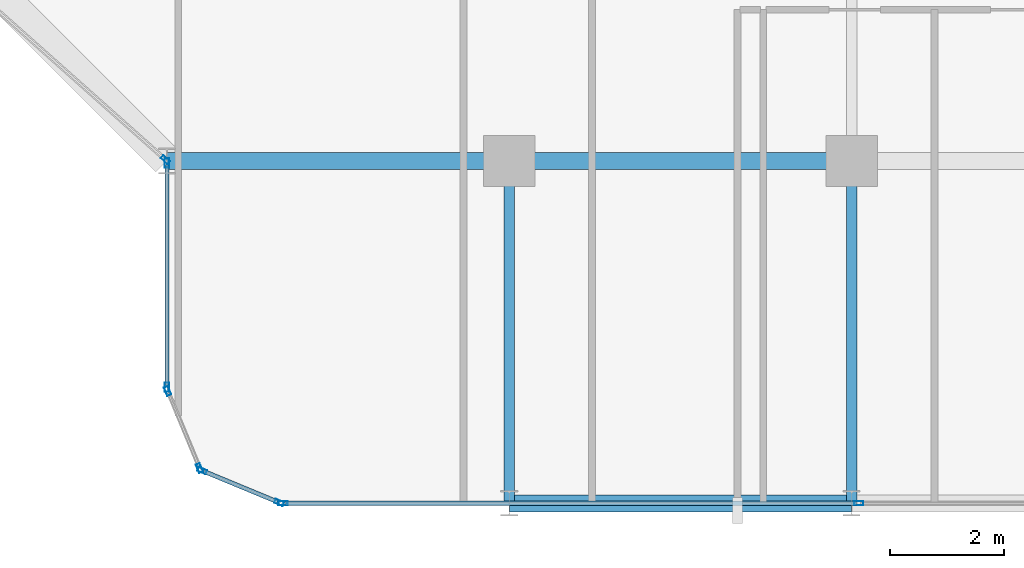
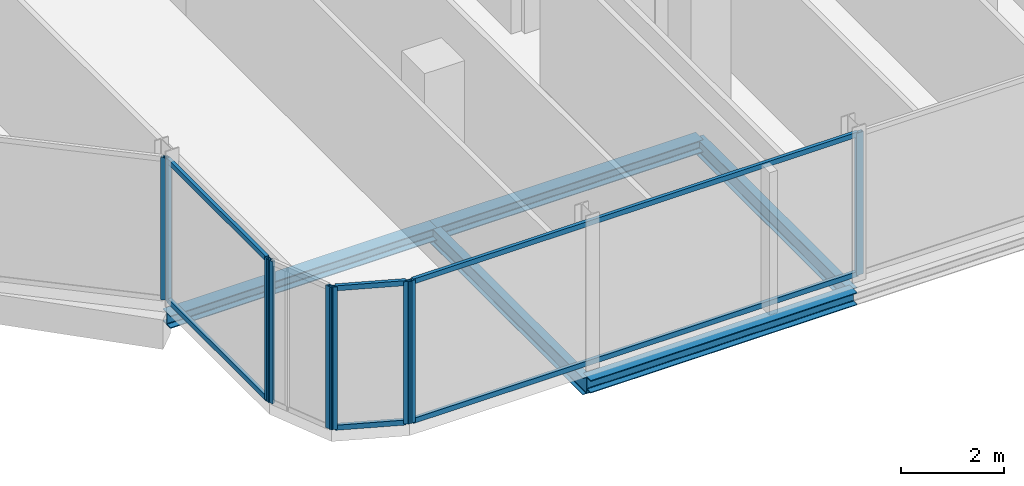
# One storey, part 6 of 29: 15 members, 5 beams, 5 elements without a shape of their own.
"""IFC4 building model written with IfcOpenShell, lengths in metres."""

from ifc_helpers import new_model, si_unit, direction, frame, origin, origin_2d, place, context, subcontext, project, spatial, hollow_rectangle, i_section, extrude, material, layer, layer_set, material_profile, profile_set, type_object, element, aggregate, save


model = new_model("IFC4")

# Units and contexts
model_context = context("Model", 3, precision=1e-05, world=origin(), true_north=direction((0.0, 1.0)))
body_context = subcontext(model_context, "Body", "Model", "MODEL_VIEW")
ifc_project = project(units=[si_unit("LENGTHUNIT", "METRE"), si_unit("AREAUNIT", "SQUARE_METRE"), si_unit("VOLUMEUNIT", "CUBIC_METRE"), si_unit("PLANEANGLEUNIT", "RADIAN"), si_unit("MASSUNIT", "GRAM", prefix="KILO")], contexts=[model_context])

# Site, building, storey
site_placement = place(None, origin())
site = spatial("IfcSite", under=ifc_project, at=site_placement, CompositionType="ELEMENT")
building_placement = place(site_placement, origin())
building = spatial("IfcBuilding", under=site, at=building_placement, Name="Keshet Zoharim Tower", CompositionType="ELEMENT")
storey_placement = place(building_placement, frame((0.0, 0.0, 188.39990234375)))
storey = spatial("IfcBuildingStorey", under=building, at=storey_placement, Name="L46", CompositionType="ELEMENT", Elevation=188.39990234375)

# Beams
ifc_material_1 = material(Name="Steel S355", Category="steel")
ifc_material_profile_1 = material_profile(ifc_material_1, i_section(OverallWidth=0.300048828125, OverallDepth=0.300048828125, WebThickness=0.010986328125, FlangeThickness=0.01904296875, FilletRadius=0.027099609375, at=origin_2d()), Name="HEB300")
ifc_profile_set_1 = profile_set([ifc_material_profile_1], Name="Steel S355")
beam_type_1 = type_object("IfcBeamType", Name="BM-PRI-HB300", PredefinedType="BEAM", material=ifc_profile_set_1)
for number, where, z_axis, x_axis, name in (
    (1, (27.0, 0.699951171875, -0.4599609375), (1.0, 0.0, 0.0), (0.0, 1.0, 0.0), "L46 Primary Girder X-001"),
    (2, (21.0, 6.699951171875, -0.4599609375), (1.0, 0.0, 0.0), (0.0, 1.0, 0.0), "L46 Primary Girder X-005"),
    (3, (27.0, 6.699951171875, -0.4599609375), (1.0, 0.0, 0.0), (0.0, 1.0, 0.0), "L46 Primary Girder X-006"),
):
    element("IfcBeam", number, at=place(storey_placement, frame(where, z_axis=z_axis, x_axis=x_axis)), inside=storey, type_object=beam_type_1, Name=name, PredefinedType="BEAM", context=body_context, shape_type="SweptSolid", body=[
        extrude(i_section(OverallWidth=0.300048828125, OverallDepth=0.300048828125, WebThickness=0.010986328125, FlangeThickness=0.01904296875, FilletRadius=0.027099609375, at=origin_2d()), origin(), (0.0, 0.0, 1.0), 6.0),
    ])
ifc_material_profile_2 = material_profile(ifc_material_1, i_section(OverallWidth=0.179931640625, OverallDepth=0.39990234375, WebThickness=0.008544921875, FlangeThickness=0.013427734375, FilletRadius=0.02099609375, at=origin_2d()), Name="IPE400")
ifc_profile_set_2 = profile_set([ifc_material_profile_2], Name="Steel S355")
beam_type_2 = type_object("IfcBeamType", Name="BM-PRI-IP400", PredefinedType="BEAM", material=ifc_profile_set_2)
for number, where, z_axis, x_axis, name in (
    (4, (27.0, 0.699951171875, -0.510009765625), (0.0, 1.0, 0.0), (-1.0, 0.0, 0.0), "L46 Primary Girder Y-004"),
    (5, (33.0, 0.699951171875, -0.510009765625), (0.0, 1.0, 0.0), (-1.0, 0.0, 0.0), "L46 Primary Girder Y-005"),
):
    element("IfcBeam", number, at=place(storey_placement, frame(where, z_axis=z_axis, x_axis=x_axis)), inside=storey, type_object=beam_type_2, Name=name, PredefinedType="BEAM", context=body_context, shape_type="SweptSolid", body=[
        extrude(i_section(OverallWidth=0.179931640625, OverallDepth=0.39990234375, WebThickness=0.008544921875, FlangeThickness=0.013427734375, FilletRadius=0.02099609375, at=origin_2d()), origin(), (0.0, 0.0, 1.0), 6.0),
    ])

# Curtain wall, members
ifc_material_2 = material(Name="Aluminium 6063-T6", Category="aluminium")
ifc_layer = layer(ifc_material_2, 0.139892578125)
ifc_layer_set = layer_set([ifc_layer], Name="Aluminium 6063-T6")
curtain_wall_type = type_object("IfcCurtainWallType", Name="CW-SYS-05", PredefinedType="NOTDEFINED", material=ifc_layer_set)
curtain_wall_1_placement = place(storey_placement, origin())
curtain_wall_1 = element("IfcCurtainWall", 6, at=curtain_wall_1_placement, inside=storey, type_object=curtain_wall_type, Name="L46 Unitised Curtain Wall 06 Part 3", PredefinedType="NOTDEFINED")
ifc_material_profile_3 = material_profile(ifc_material_2, hollow_rectangle(XDim=0.074951171875, YDim=0.159912109375, WallThickness=0.00390625, at=origin_2d()), Name="MUL-75x160")
ifc_profile_set_3 = profile_set([ifc_material_profile_3], Name="Aluminium 6063-T6")
member_type_1 = type_object("IfcMemberType", Name="CWM-M15", PredefinedType="MULLION", material=ifc_profile_set_3)
member_1_placement = place(storey_placement, frame((33.1259765625, 0.699951171875, 0.0), z_axis=(0.0, 0.0, 1.0), x_axis=(0.0, -1.0, 0.0)))
member_1 = element("IfcMember", 7, at=member_1_placement, type_object=member_type_1, Name="CW-05 mullion 2", PredefinedType="MULLION", context=body_context, shape_type="SweptSolid", body=[
    extrude(hollow_rectangle(XDim=0.074951171875, YDim=0.159912109375, WallThickness=0.00390625, at=origin_2d()), origin(), (0.0, 0.0, 1.0), 3.39013671875),
])
member_2_placement = place(storey_placement, frame((23.034912109375, 0.699951171875, 0.0), z_axis=(0.0, 0.0, 1.0), x_axis=(0.0, -1.0, 0.0)))
member_2 = element("IfcMember", 8, at=member_2_placement, type_object=member_type_1, Name="CW-05 mullion 3", PredefinedType="MULLION", context=body_context, shape_type="SweptSolid", body=[
    extrude(hollow_rectangle(XDim=0.074951171875, YDim=0.159912109375, WallThickness=0.00390625, at=origin_2d()), origin(), (0.0, 0.0, 1.0), 3.39013671875),
])

curtain_wall_2_placement = place(storey_placement, origin())
curtain_wall_2 = element("IfcCurtainWall", 9, at=curtain_wall_2_placement, inside=storey, type_object=curtain_wall_type, Name="L46 Unitised Curtain Wall 07", PredefinedType="NOTDEFINED")
member_3_placement = place(storey_placement, frame((22.9677734375, 0.71337890625, 0.0), z_axis=(0.0, 0.0, 1.0), x_axis=(-0.382851849847, -0.92380975372, 0.0)))
member_3 = element("IfcMember", 10, at=member_3_placement, type_object=member_type_1, Name="CW-05 mullion 1", PredefinedType="MULLION", context=body_context, shape_type="SweptSolid", body=[
    extrude(hollow_rectangle(XDim=0.074951171875, YDim=0.159912109375, WallThickness=0.00390625, at=origin_2d()), origin(), (0.0, 0.0, 1.0), 3.39013671875),
])
member_4_placement = place(storey_placement, frame((21.618408203125, 1.272705078125, 0.0), z_axis=(0.0, 0.0, 1.0), x_axis=(-0.382851849847, -0.92380975372, 0.0)))
member_4 = element("IfcMember", 11, at=member_4_placement, type_object=member_type_1, Name="CW-05 mullion 2", PredefinedType="MULLION", context=body_context, shape_type="SweptSolid", body=[
    extrude(hollow_rectangle(XDim=0.074951171875, YDim=0.159912109375, WallThickness=0.00390625, at=origin_2d()), origin(), (0.0, 0.0, 1.0), 3.39013671875),
])

curtain_wall_3_placement = place(storey_placement, origin())
curtain_wall_3 = element("IfcCurtainWall", 12, at=curtain_wall_3_placement, inside=storey, type_object=curtain_wall_type, Name="L46 Unitised Curtain Wall 08", PredefinedType="NOTDEFINED")
member_5_placement = place(storey_placement, frame((21.572509765625, 1.318359375, 0.0), z_axis=(0.0, 0.0, 1.0), x_axis=(-0.92380975372, -0.382851849847, 0.0)))
member_5 = element("IfcMember", 13, at=member_5_placement, type_object=member_type_1, Name="CW-05 mullion 1", PredefinedType="MULLION", context=body_context, shape_type="SweptSolid", body=[
    extrude(hollow_rectangle(XDim=0.074951171875, YDim=0.159912109375, WallThickness=0.00390625, at=origin_2d()), origin(), (0.0, 0.0, 1.0), 3.39013671875),
])
member_6_placement = place(storey_placement, frame((21.013427734375, 2.667724609375, 0.0), z_axis=(0.0, 0.0, 1.0), x_axis=(-0.92380975372, -0.382851849847, 0.0)))
member_6 = element("IfcMember", 14, at=member_6_placement, type_object=member_type_1, Name="CW-05 mullion 2", PredefinedType="MULLION", context=body_context, shape_type="SweptSolid", body=[
    extrude(hollow_rectangle(XDim=0.074951171875, YDim=0.159912109375, WallThickness=0.00390625, at=origin_2d()), origin(), (0.0, 0.0, 1.0), 3.39013671875),
])
aggregate(curtain_wall_3, [member_5, member_6])

curtain_wall_4_placement = place(storey_placement, origin())
curtain_wall_4 = element("IfcCurtainWall", 15, at=curtain_wall_4_placement, inside=storey, type_object=curtain_wall_type, Name="L46 Unitised Curtain Wall 09", PredefinedType="NOTDEFINED")
member_7_placement = place(storey_placement, frame((21.0, 2.735107421875, 0.0), z_axis=(0.0, 0.0, 1.0), x_axis=(-1.0, 0.0, 0.0)))
member_7 = element("IfcMember", 16, at=member_7_placement, type_object=member_type_1, Name="CW-05 mullion 1", PredefinedType="MULLION", context=body_context, shape_type="SweptSolid", body=[
    extrude(hollow_rectangle(XDim=0.074951171875, YDim=0.159912109375, WallThickness=0.00390625, at=origin_2d()), origin(), (0.0, 0.0, 1.0), 3.39013671875),
])
member_8_placement = place(storey_placement, frame((21.0, 6.6650390625, 0.0), z_axis=(0.0, 0.0, 1.0), x_axis=(-1.0, 0.0, 0.0)))
member_8 = element("IfcMember", 17, at=member_8_placement, type_object=member_type_1, Name="CW-05 mullion 2", PredefinedType="MULLION", context=body_context, shape_type="SweptSolid", body=[
    extrude(hollow_rectangle(XDim=0.074951171875, YDim=0.159912109375, WallThickness=0.00390625, at=origin_2d()), origin(), (0.0, 0.0, 1.0), 3.39013671875),
])

# Curtain wall, member
curtain_wall_5_placement = place(storey_placement, origin())
curtain_wall_5 = element("IfcCurtainWall", 18, at=curtain_wall_5_placement, inside=storey, type_object=curtain_wall_type, Name="L46 Unitised Curtain Wall 10", PredefinedType="NOTDEFINED")
member_9_placement = place(storey_placement, frame((20.973876953125, 6.72314453125, 0.0), z_axis=(0.0, 0.0, 1.0), x_axis=(-0.664367613066, -0.74740596379, 0.0)))
member_9 = element("IfcMember", 19, at=member_9_placement, type_object=member_type_1, Name="CW-05 mullion 1", PredefinedType="MULLION", context=body_context, shape_type="SweptSolid", body=[
    extrude(hollow_rectangle(XDim=0.074951171875, YDim=0.159912109375, WallThickness=0.00390625, at=origin_2d()), origin(), (0.0, 0.0, 1.0), 3.39013671875),
])
aggregate(curtain_wall_5, [member_9])

# Member
ifc_material_profile_4 = material_profile(ifc_material_2, hollow_rectangle(XDim=0.074951171875, YDim=0.1201171875, WallThickness=0.00390625, at=origin_2d()), Name="TRN-75x120")
ifc_profile_set_4 = profile_set([ifc_material_profile_4], Name="Aluminium 6063-T6")
member_type_2 = type_object("IfcMemberType", Name="CWT-T12", PredefinedType="USERDEFINED", material=ifc_profile_set_4)
member_10_placement = place(storey_placement, frame((33.091064453125, 0.699951171875, 0.03515625), z_axis=(-1.0, 0.0, 0.0), x_axis=(0.0, -1.0, 0.0)))
member_10 = element("IfcMember", 20, at=member_10_placement, type_object=member_type_2, Name="CW-05 transom 2.1", ObjectType="TRANSOM", PredefinedType="USERDEFINED", context=body_context, shape_type="SweptSolid", body=[
    extrude(hollow_rectangle(XDim=0.074951171875, YDim=0.1201171875, WallThickness=0.00390625, at=origin_2d()), origin(), (0.0, 0.0, 1.0), 10.02099609375),
])

member_11_placement = place(storey_placement, frame((33.091064453125, 0.699951171875, 3.35498046875), z_axis=(-1.0, 0.0, 0.0), x_axis=(0.0, -1.0, 0.0)))
member_11 = element("IfcMember", 21, at=member_11_placement, type_object=member_type_2, Name="CW-05 transom 2.2", ObjectType="TRANSOM", PredefinedType="USERDEFINED", context=body_context, shape_type="SweptSolid", body=[
    extrude(hollow_rectangle(XDim=0.074951171875, YDim=0.1201171875, WallThickness=0.00390625, at=origin_2d()), origin(), (0.0, 0.0, 1.0), 10.02099609375),
])

aggregate(curtain_wall_1, [member_1, member_2, member_10, member_11])

member_12_placement = place(storey_placement, frame((22.935302734375, 0.726806640625, 0.03515625), z_axis=(-0.92379209995, 0.382894445076, 0.0), x_axis=(-0.382894445076, -0.92379209995, 0.0)))
member_12 = element("IfcMember", 22, at=member_12_placement, type_object=member_type_2, Name="CW-05 transom 1.1", ObjectType="TRANSOM", PredefinedType="USERDEFINED", context=body_context, shape_type="SweptSolid", body=[
    extrude(hollow_rectangle(XDim=0.074951171875, YDim=0.1201171875, WallThickness=0.00390625, at=origin_2d()), origin(), (0.0, 0.0, 1.0), 1.390625),
])

member_13_placement = place(storey_placement, frame((22.935302734375, 0.726806640625, 3.35498046875), z_axis=(-0.92379209995, 0.382894445076, 0.0), x_axis=(-0.382894445076, -0.92379209995, 0.0)))
member_13 = element("IfcMember", 23, at=member_13_placement, type_object=member_type_2, Name="CW-05 transom 1.2", ObjectType="TRANSOM", PredefinedType="USERDEFINED", context=body_context, shape_type="SweptSolid", body=[
    extrude(hollow_rectangle(XDim=0.074951171875, YDim=0.1201171875, WallThickness=0.00390625, at=origin_2d()), origin(), (0.0, 0.0, 1.0), 1.390625),
])

aggregate(curtain_wall_2, [member_3, member_4, member_12, member_13])

member_14_placement = place(storey_placement, frame((21.0, 2.77001953125, 0.03515625), z_axis=(0.0, 1.0, 0.0), x_axis=(-1.0, 0.0, 0.0)))
member_14 = element("IfcMember", 24, at=member_14_placement, type_object=member_type_2, Name="CW-05 transom 1.1", ObjectType="TRANSOM", PredefinedType="USERDEFINED", context=body_context, shape_type="SweptSolid", body=[
    extrude(hollow_rectangle(XDim=0.074951171875, YDim=0.1201171875, WallThickness=0.00390625, at=origin_2d()), origin(), (0.0, 0.0, 1.0), 3.85986328125),
])

member_15_placement = place(storey_placement, frame((21.0, 2.77001953125, 3.35498046875), z_axis=(0.0, 1.0, 0.0), x_axis=(-1.0, 0.0, 0.0)))
member_15 = element("IfcMember", 25, at=member_15_placement, type_object=member_type_2, Name="CW-05 transom 1.2", ObjectType="TRANSOM", PredefinedType="USERDEFINED", context=body_context, shape_type="SweptSolid", body=[
    extrude(hollow_rectangle(XDim=0.074951171875, YDim=0.1201171875, WallThickness=0.00390625, at=origin_2d()), origin(), (0.0, 0.0, 1.0), 3.85986328125),
])

aggregate(curtain_wall_4, [member_7, member_8, member_14, member_15])

save(model, "model.ifc")
